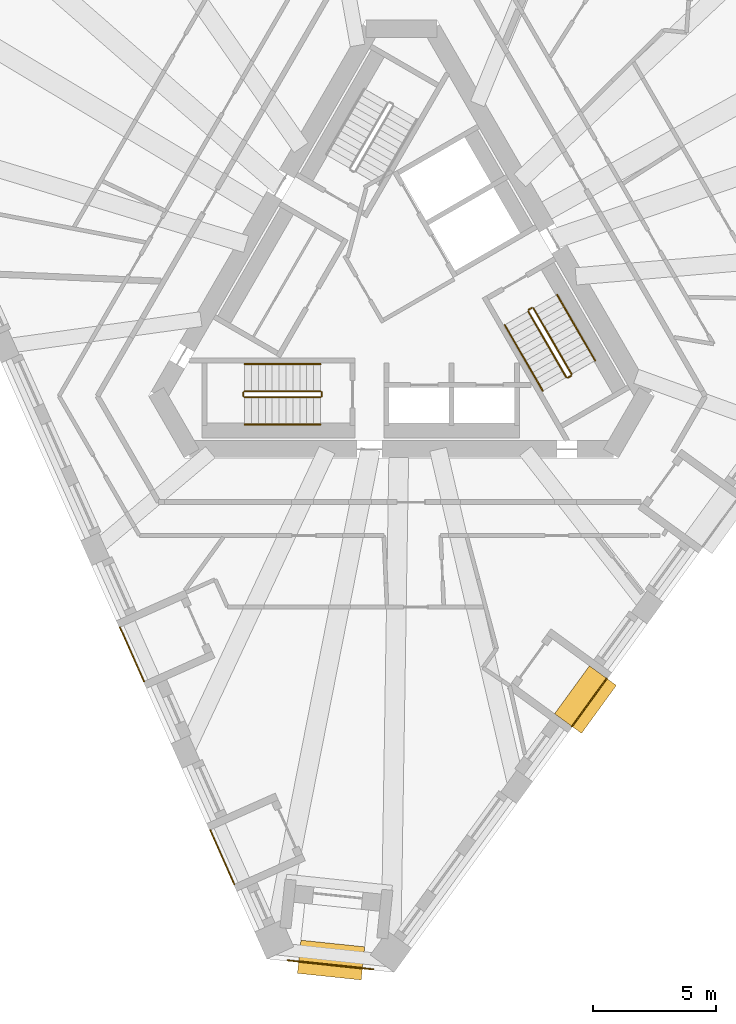
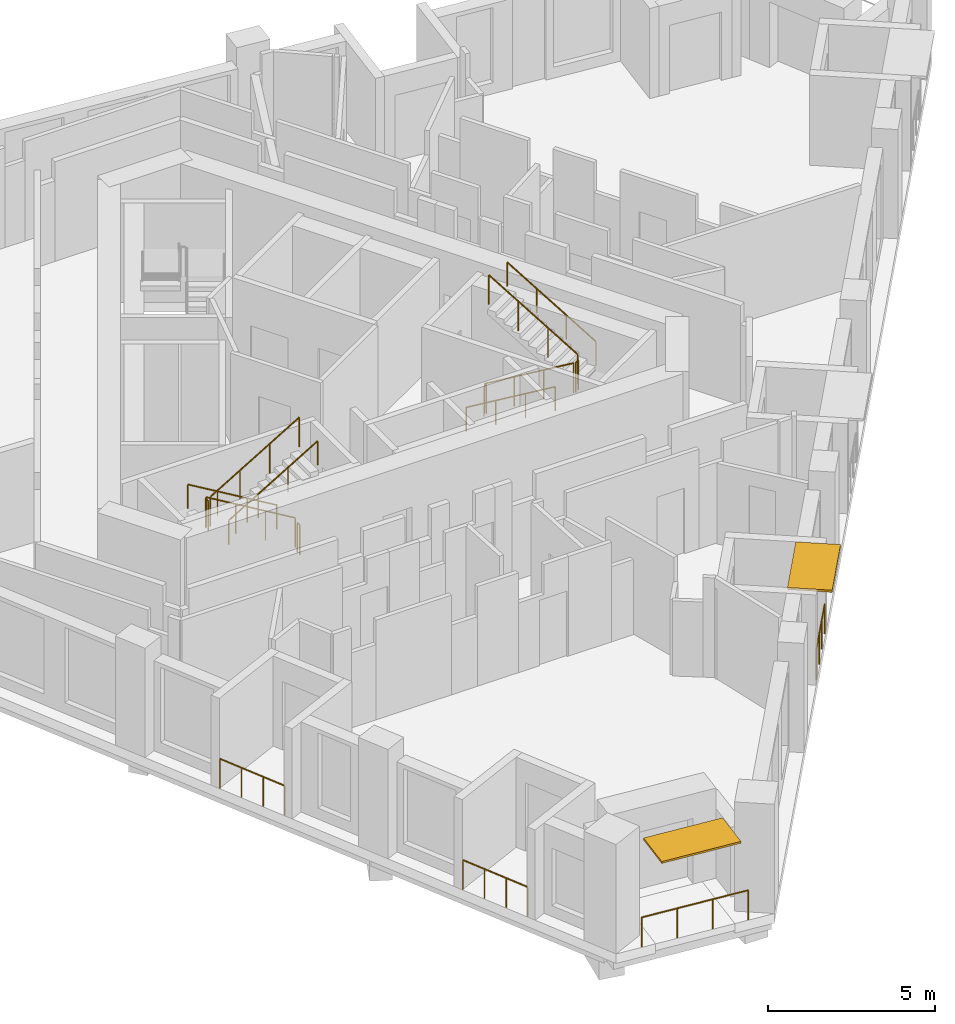
# One storey, part 9 of 11: 16 railings, 2 shading devices.
"""IFC4 building model written with IfcOpenShell, lengths in metres."""

import ifcopenshell
import ifcopenshell.guid

model = None  # the IFC model being written
_history = None  # IfcOwnerHistory: only IFC2X3 demands one
_inside = {}  # id of a spatial element -> (the spatial element, [elements in it])
_under = {}  # id of a project, library or spatial element -> (it, [spatial elements below it])
_declared = {}  # id of a project -> (the project, [libraries it declares])
_typed = {}  # id of a type object -> (the type object, [elements of that type])
_made_of = {}  # id of a material, layer set ... -> (it, [elements and type objects made of it])


def new_model(schema):
    """Start an empty IFC model of exactly this schema.

    Asked for "IFC4X3", IfcOpenShell would pick the latest addendum, in which some entities
    have other attributes; the version numbers below select the first issue.
    IFC2X3 requires an IfcOwnerHistory on every rooted entity: one is made here for all.
    """
    global model, _history
    if schema == "IFC4X3":
        model = ifcopenshell.file(schema_version=(4, 3, 0, 0))
    else:
        model = ifcopenshell.file(schema=schema)
    _inside.clear()
    _under.clear()
    _declared.clear()
    _typed.clear()
    _made_of.clear()
    _history = None
    if model.schema == "IFC2X3":
        org = make("IfcOrganization", Name="unknown")
        user = make(
            "IfcPersonAndOrganization",
            ThePerson=make("IfcPerson", FamilyName="unknown"),
            TheOrganization=org,
        )
        app = make(
            "IfcApplication",
            ApplicationDeveloper=org,
            Version="unknown",
            ApplicationFullName="unknown",
            ApplicationIdentifier="unknown",
        )
        _history = make(
            "IfcOwnerHistory",
            OwningUser=user,
            OwningApplication=app,
            ChangeAction="ADDED",
            CreationDate=0,
        )
    return model


def make(cls, **values):
    """One entity of the class cls with the attributes given. An attribute that is None is left unset."""
    return model.create_entity(
        cls, **{name: value for name, value in values.items() if value is not None}
    )


def rooted(cls, **values):
    """An entity with a GlobalId (a new one), such as an element, a storey or a relation."""
    return make(cls, GlobalId=ifcopenshell.guid.new(), OwnerHistory=_history, **values)


def si_unit(unit_type, name, prefix=None):
    """IfcSIUnit, for example si_unit("LENGTHUNIT", "METRE", prefix="MILLI")."""
    return make("IfcSIUnit", UnitType=unit_type, Prefix=prefix, Name=name)


def assignment(units):
    """IfcUnitAssignment: the units of a project."""
    return None if units is None else make("IfcUnitAssignment", Units=units)


def point(xyz):
    """IfcCartesianPoint."""
    return None if xyz is None else make("IfcCartesianPoint", Coordinates=xyz)


def direction(xyz):
    """IfcDirection."""
    return None if xyz is None else make("IfcDirection", DirectionRatios=xyz)


def frame(location, z_axis=None, x_axis=None):
    """IfcAxis2Placement3D, a coordinate frame: its origin and axes. An axis left out is left unset."""
    return make(
        "IfcAxis2Placement3D",
        Location=point(location),
        Axis=direction(z_axis),
        RefDirection=direction(x_axis),
    )


def frame_2d(location, x_axis=None):
    """IfcAxis2Placement2D, a coordinate frame in the plane: its origin and x axis."""
    return make(
        "IfcAxis2Placement2D", Location=point(location), RefDirection=direction(x_axis)
    )


def origin():
    """The frame at (0, 0, 0) with its axes left unset."""
    return frame((0.0, 0.0, 0.0))


def origin_2d():
    """The frame at (0, 0) in the plane with its x axis left unset."""
    return frame_2d((0.0, 0.0))


def place(relative_to, where):
    """IfcLocalPlacement: puts the frame where relative to a parent placement (None: the world)."""
    return make(
        "IfcLocalPlacement", PlacementRelTo=relative_to, RelativePlacement=where
    )


def context(
    kind, dimensions, precision=None, world=None, true_north=None, identifier=None
):
    """IfcGeometricRepresentationContext, for example the 3D "Model" context."""
    return make(
        "IfcGeometricRepresentationContext",
        ContextIdentifier=identifier,
        ContextType=kind,
        CoordinateSpaceDimension=dimensions,
        Precision=precision,
        WorldCoordinateSystem=world,
        TrueNorth=true_north,
    )


def subcontext(parent, identifier, kind, view, scale=None):
    """IfcGeometricRepresentationSubContext, for example "Body" below "Model"."""
    return make(
        "IfcGeometricRepresentationSubContext",
        ContextIdentifier=identifier,
        ContextType=kind,
        ParentContext=parent,
        TargetScale=scale,
        TargetView=view,
    )


def project(units=None, contexts=None):
    """IfcProject with its units and contexts."""
    return rooted(
        "IfcProject",
        Name="project",
        RepresentationContexts=contexts,
        UnitsInContext=assignment(units),
    )


def spatial(cls, under=None, at=None, **own):
    """A site, building, storey or space (cls), placed at a placement, below another one or the project."""
    s = rooted(cls, ObjectPlacement=at, **own)
    if under is not None:
        _under.setdefault(under.id(), (under, []))[1].append(s)
    return s


def profile(cls, at=None, kind="AREA", **sizes):
    """A parametric profile (cls). Its sizes go by their IFC names, for example OverallWidth=200.0."""
    return make(cls, ProfileType=kind, Position=at, **sizes)


def rectangle(**sizes):
    """IfcRectangleProfileDef."""
    return profile("IfcRectangleProfileDef", **sizes)


def circle(**sizes):
    """IfcCircleProfileDef."""
    return profile("IfcCircleProfileDef", **sizes)


def extrude(swept, where, along, depth):
    """IfcExtrudedAreaSolid: the profile swept, set in the frame where, extruded along a direction by depth."""
    return make(
        "IfcExtrudedAreaSolid",
        SweptArea=swept,
        Position=where,
        ExtrudedDirection=direction(along),
        Depth=depth,
    )


def shape(context_of_items, identifier, shape_type, items):
    """IfcShapeRepresentation: the items that make up one representation, for example the "Body"."""
    return make(
        "IfcShapeRepresentation",
        ContextOfItems=context_of_items,
        RepresentationIdentifier=identifier,
        RepresentationType=shape_type,
        Items=items,
    )


def material(Name=None, Category=None):
    """IfcMaterial."""
    return make("IfcMaterial", Name=Name, Category=Category)


def layer(
    of_material, thickness, ventilated=None, Name=None, Category=None, Priority=None
):
    """IfcMaterialLayer: one layer of a wall or slab, of a material (None: an air gap)."""
    return make(
        "IfcMaterialLayer",
        Material=of_material,
        LayerThickness=thickness,
        IsVentilated=ventilated,
        Name=Name,
        Category=Category,
        Priority=Priority,
    )


def layer_set(layers, Name=None):
    """IfcMaterialLayerSet."""
    return make("IfcMaterialLayerSet", MaterialLayers=layers, LayerSetName=Name)


def made_of(thing, what):
    """Note that an element or type object is made of a material, layer set ...; save() writes the relation."""
    if what is not None:
        _made_of.setdefault(what.id(), (what, []))[1].append(thing)
    return thing


def type_object(cls, material=None, **own):
    """A type object (cls), such as IfcWallType, which elements share."""
    return made_of(rooted(cls, **own), material)


def element(
    cls,
    number,
    at=None,
    inside=None,
    cuts=None,
    type_object=None,
    material=None,
    context=None,
    identifier="Body",
    shape_type=None,
    held_by="IfcProductDefinitionShape",
    body=None,
    shapes=None,
    **own,
):
    """One element of the class cls, such as IfcWall. Its Tag is "e" and its number.

    at: its placement. inside: the storey or other place that contains it. cuts: it is an
    opening in that element (IfcRelVoidsElement). A single representation is given by context,
    identifier, shape_type and body (its items); several are given by shapes. held_by: the class
    of the entity that holds the representations. save() writes the other relations.
    """
    e = rooted(cls, Tag="e%d" % number, ObjectPlacement=at, **own)
    if body is not None:
        shapes = [shape(context, identifier, shape_type, body)]
    if shapes is not None:
        e.Representation = make(held_by, Representations=shapes)
    if inside is not None:
        _inside.setdefault(inside.id(), (inside, []))[1].append(e)
    if cuts is not None:
        rooted(
            "IfcRelVoidsElement", RelatingBuildingElement=cuts, RelatedOpeningElement=e
        )
    if type_object is not None:
        _typed.setdefault(type_object.id(), (type_object, []))[1].append(e)
    return made_of(e, material)


def aggregate(whole, parts):
    """IfcRelAggregates: a whole, such as a stair, and the parts it consists of."""
    return rooted("IfcRelAggregates", RelatingObject=whole, RelatedObjects=parts)


def save(model, path):
    """Write the relations noted so far, then the file.

    IfcRelAggregates (storeys below a building ...), IfcRelContainedInSpatialStructure (elements
    in a storey), IfcRelDefinesByType, IfcRelAssociatesMaterial and IfcRelDeclares: one each for
    every whole, place, type object, material and project.
    """
    for whole, parts in _under.values():
        aggregate(whole, parts)
    for where, things in _inside.values():
        rooted(
            "IfcRelContainedInSpatialStructure",
            RelatedElements=things,
            RelatingStructure=where,
        )
    for kind, things in _typed.values():
        rooted("IfcRelDefinesByType", RelatedObjects=things, RelatingType=kind)
    for what, things in _made_of.values():
        rooted("IfcRelAssociatesMaterial", RelatedObjects=things, RelatingMaterial=what)
    for by, libraries in _declared.values():
        rooted("IfcRelDeclares", RelatingContext=by, RelatedDefinitions=libraries)
    model.write(path)


model = new_model("IFC4")

# Units and contexts
model_context = context("Model", 3, precision=1e-05, world=origin(), true_north=direction((0.0, 1.0)))
body_context = subcontext(model_context, "Body", "Model", "MODEL_VIEW")
ifc_project = project(units=[si_unit("LENGTHUNIT", "METRE"), si_unit("AREAUNIT", "SQUARE_METRE"), si_unit("VOLUMEUNIT", "CUBIC_METRE"), si_unit("PLANEANGLEUNIT", "RADIAN"), si_unit("MASSUNIT", "GRAM", prefix="KILO")], contexts=[model_context])

# Site, building, storey
site_placement = place(None, origin())
site = spatial("IfcSite", under=ifc_project, at=site_placement, CompositionType="ELEMENT")
building_placement = place(site_placement, origin())
building = spatial("IfcBuilding", under=site, at=building_placement, Name="Tramontana Tower", CompositionType="ELEMENT")
storey_placement = place(building_placement, frame((0.0, 0.0, 265.199951171875)))
storey = spatial("IfcBuildingStorey", under=building, at=storey_placement, Name="L62", CompositionType="ELEMENT", Elevation=265.199951171875)

# Railings
ifc_material_1 = material(Name="Laminated glass balustrade", Category="glass")
railing_type_1 = type_object("IfcRailingType", Name="GD1 Loggia glass balustrade 1100", PredefinedType="BALUSTRADE", material=ifc_material_1)
for number, where, name in (
    (1, (-11.41455078125, -13.626220703125, 0.0), "Loggia balustrade L62 G6S0.10"),
    (2, (-7.751220703125, -21.854248046875, 0.0), "Loggia balustrade L62 G6S0.13"),
):
    element("IfcRailing", number, at=place(storey_placement, frame(where)), inside=storey, type_object=railing_type_1, Name=name, PredefinedType="BALUSTRADE", context=body_context, shape_type="SweptSolid", body=[
        extrude(circle(Radius=0.02392578125, at=origin_2d()), frame((0.0, 0.0, 1.076171875), z_axis=(0.406723017018, -0.913551524232, 0.0), x_axis=(0.913551524232, 0.406723017018, 0.0)), (0.0, 0.0, 1.0), 2.40234375),
        extrude(circle(Radius=0.02099609375, at=origin_2d()), origin(), (0.0, 0.0, 1.0), 1.052001953125),
        extrude(circle(Radius=0.02099609375, at=origin_2d()), frame((0.32568359375, -0.7314453125, 0.0)), (0.0, 0.0, 1.0), 1.052001953125),
        extrude(circle(Radius=0.02099609375, at=origin_2d()), frame((0.6513671875, -1.463134765625, 0.0)), (0.0, 0.0, 1.0), 1.052001953125),
        extrude(circle(Radius=0.02099609375, at=origin_2d()), frame((0.97705078125, -2.194580078125, 0.0)), (0.0, 0.0, 1.0), 1.052001953125),
    ])
railing_1_placement = place(storey_placement, frame((6.919921875, -17.645263671875, 0.0)))
element("IfcRailing", 3, at=railing_1_placement, inside=storey, type_object=railing_type_1, Name="Loggia balustrade L62 G6S1.4", PredefinedType="BALUSTRADE", context=body_context, shape_type="SweptSolid", body=[
    extrude(circle(Radius=0.02392578125, at=origin_2d()), frame((0.0, 0.0, 1.076171875), z_axis=(0.587784915375, 0.80901723916, 0.0), x_axis=(-0.80901723916, 0.587784915375, 0.0)), (0.0, 0.0, 1.0), 2.40234375),
    extrude(circle(Radius=0.02099609375, at=origin_2d()), origin(), (0.0, 0.0, 1.0), 1.052001953125),
    extrude(circle(Radius=0.02099609375, at=origin_2d()), frame((0.470703125, 0.64794921875, 0.0)), (0.0, 0.0, 1.0), 1.052001953125),
    extrude(circle(Radius=0.02099609375, at=origin_2d()), frame((0.94140625, 1.295654296875, 0.0)), (0.0, 0.0, 1.0), 1.052001953125),
    extrude(circle(Radius=0.02099609375, at=origin_2d()), frame((1.412109375, 1.943603515625, 0.0)), (0.0, 0.0, 1.0), 1.052001953125),
])
railing_2_placement = place(storey_placement, frame((-1.131103515625, -27.50244140625, 0.0)))
element("IfcRailing", 4, at=railing_2_placement, inside=storey, type_object=railing_type_1, Name="Corner loggia balustrade L62 K61", PredefinedType="BALUSTRADE", context=body_context, shape_type="SweptSolid", body=[
    extrude(circle(Radius=0.02392578125, at=origin_2d()), frame((0.0, 0.0, 1.076171875), z_axis=(-0.994518059202, 0.104564955513, 0.0), x_axis=(-0.104564955513, -0.994518059202, 0.0)), (0.0, 0.0, 1.0), 3.5),
    extrude(circle(Radius=0.02099609375, at=origin_2d()), origin(), (0.0, 0.0, 1.0), 1.052001953125),
    extrude(circle(Radius=0.02099609375, at=origin_2d()), frame((-1.16015625, 0.1220703125, 0.0)), (0.0, 0.0, 1.0), 1.052001953125),
    extrude(circle(Radius=0.02099609375, at=origin_2d()), frame((-2.320556640625, 0.243896484375, 0.0)), (0.0, 0.0, 1.0), 1.052001953125),
    extrude(circle(Radius=0.02099609375, at=origin_2d()), frame((-3.480712890625, 0.365966796875, 0.0)), (0.0, 0.0, 1.0), 1.052001953125),
])

# Shading devices
ifc_material_2 = material(Name="Precast concrete 60 MPa", Category="concrete")
ifc_layer_1 = layer(ifc_material_2, 0.070068359375)
ifc_layer_set_1 = layer_set([ifc_layer_1], Name="SS2 Stone sunshade blade 70")
shading_device_type_1 = type_object("IfcShadingDeviceType", Name="SS2 Stone sunshade blade 70", PredefinedType="USERDEFINED", material=ifc_layer_set_1)
shading_device_1_placement = place(storey_placement, frame((-2.85107421875, -27.12548828125, 3.22998046875), z_axis=(0.0, 0.0, 1.0), x_axis=(-0.994521895368, 0.104528463268, 0.0)))
element("IfcShadingDevice", 5, at=shading_device_1_placement, inside=storey, type_object=shading_device_type_1, Name="Corner sunshade L62 K61", ObjectType="SUNSHADE", PredefinedType="USERDEFINED", context=body_context, shape_type="SweptSolid", body=[
    extrude(rectangle(XDim=2.60009765625, YDim=1.35009765625, at=origin_2d()), origin(), (0.0, 0.0, 1.0), 0.070068359375),
])
ifc_material_3 = material(Name="Precast concrete 60 MPa", Category="concrete")
ifc_layer_2 = layer(ifc_material_3, 0.080078125)
ifc_layer_set_2 = layer_set([ifc_layer_2], Name="SS3 Stone sunshade blade 80")
shading_device_type_2 = type_object("IfcShadingDeviceType", Name="SS3 Stone sunshade blade 80", PredefinedType="USERDEFINED", material=ifc_layer_set_2)
shading_device_2_placement = place(storey_placement, frame((7.46826171875, -16.558837890625, 3.219970703125), z_axis=(0.0, 0.0, 1.0), x_axis=(0.587785252292, 0.809016994375, 0.0)))
element("IfcShadingDevice", 6, at=shading_device_2_placement, inside=storey, type_object=shading_device_type_2, Name="Sunshade L62 G6S1.4", ObjectType="SUNSHADE", PredefinedType="USERDEFINED", context=body_context, shape_type="SweptSolid", body=[
    extrude(rectangle(XDim=2.402099609375, YDim=1.35009765625, at=origin_2d()), origin(), (0.0, 0.0, 1.0), 0.080078125),
])

# Railings
ifc_material_4 = material(Name="Painted steel", Category="steel")
railing_type_2 = type_object("IfcRailingType", Name="STAIR GUARD 1100", PredefinedType="GUARDRAIL", material=ifc_material_4)
railing_3_placement = place(storey_placement, frame((-3.280029296875, -4.050048828125, 0.166748046875)))
element("IfcRailing", 7, at=railing_3_placement, inside=storey, type_object=railing_type_2, Name="L62 ST2 stair guard 1", PredefinedType="GUARDRAIL", context=body_context, shape_type="SweptSolid", body=[
    extrude(circle(Radius=0.02392578125, at=origin_2d()), frame((0.0, 0.0, 1.076171875), z_axis=(-0.859308565015, 0.0, 0.511457515432), x_axis=(0.0, -1.0, 0.0)), (0.0, 0.0, 1.0), 3.58447265625),
    extrude(circle(Radius=0.02099609375, at=origin_2d()), origin(), (0.0, 0.0, 1.0), 1.052001953125),
    extrude(circle(Radius=0.02099609375, at=origin_2d()), frame((-1.026611328125, 0.0, 0.611083984375)), (0.0, 0.0, 1.0), 1.052001953125),
    extrude(circle(Radius=0.02099609375, at=origin_2d()), frame((-2.053466796875, 0.0, 1.22216796875)), (0.0, 0.0, 1.0), 1.052001953125),
    extrude(circle(Radius=0.02099609375, at=origin_2d()), frame((-3.080078125, 0.0, 1.833251953125)), (0.0, 0.0, 1.0), 1.052001953125),
])
railing_4_placement = place(storey_placement, frame((-6.360107421875, -4.300048828125, 2.166748046875)))
element("IfcRailing", 8, at=railing_4_placement, inside=storey, type_object=railing_type_2, Name="L62 ST2 stair guard 2", PredefinedType="GUARDRAIL", context=body_context, shape_type="SweptSolid", body=[
    extrude(circle(Radius=0.02392578125, at=origin_2d()), frame((0.0, 0.0, 1.076171875), z_axis=(0.859308565015, 0.0, 0.511457515432), x_axis=(0.0, 1.0, 0.0)), (0.0, 0.0, 1.0), 3.58447265625),
    extrude(circle(Radius=0.02099609375, at=origin_2d()), origin(), (0.0, 0.0, 1.0), 1.052001953125),
    extrude(circle(Radius=0.02099609375, at=origin_2d()), frame((1.026611328125, 0.0, 0.611083984375)), (0.0, 0.0, 1.0), 1.052001953125),
    extrude(circle(Radius=0.02099609375, at=origin_2d()), frame((2.053466796875, 0.0, 1.22216796875)), (0.0, 0.0, 1.0), 1.052001953125),
    extrude(circle(Radius=0.02099609375, at=origin_2d()), frame((3.080078125, 0.0, 1.833251953125)), (0.0, 0.0, 1.0), 1.052001953125),
])
for number, where, name in (
    (9, (-6.409912109375, -4.10009765625, 2.0), "L62 ST2 stair guard 3"),
    (10, (-3.22998046875, -4.10009765625, 0.0), "L62 ST2 stair guard 4"),
):
    element("IfcRailing", number, at=place(storey_placement, frame(where)), inside=storey, type_object=railing_type_2, Name=name, PredefinedType="GUARDRAIL", context=body_context, shape_type="SweptSolid", body=[
        extrude(circle(Radius=0.02392578125, at=origin_2d()), frame((0.0, 0.0, 1.076171875), z_axis=(0.0, -1.0, 0.0), x_axis=(1.0, 0.0, 0.0)), (0.0, 0.0, 1.0), 0.14990234375),
        extrude(circle(Radius=0.02099609375, at=origin_2d()), origin(), (0.0, 0.0, 1.0), 1.052001953125),
        extrude(circle(Radius=0.02099609375, at=origin_2d()), frame((0.0, -0.14990234375, 0.0)), (0.0, 0.0, 1.0), 1.052001953125),
    ])
railing_5_placement = place(storey_placement, frame((5.1474609375, -0.815673828125, 0.166748046875)))
element("IfcRailing", 11, at=railing_5_placement, inside=storey, type_object=railing_type_2, Name="L62 ST3 stair guard 1", PredefinedType="GUARDRAIL", context=body_context, shape_type="SweptSolid", body=[
    extrude(circle(Radius=0.02392578125, at=origin_2d()), frame((0.0, 0.0, 1.076171875), z_axis=(0.429671193721, -0.744159446956, 0.511477646425), x_axis=(0.866010015463, 0.500026652407, 0.0)), (0.0, 0.0, 1.0), 3.584228515625),
    extrude(circle(Radius=0.02099609375, at=origin_2d()), origin(), (0.0, 0.0, 1.0), 1.052001953125),
    extrude(circle(Radius=0.02099609375, at=origin_2d()), frame((0.513427734375, -0.88916015625, 0.611083984375)), (0.0, 0.0, 1.0), 1.052001953125),
    extrude(circle(Radius=0.02099609375, at=origin_2d()), frame((1.026611328125, -1.778076171875, 1.22216796875)), (0.0, 0.0, 1.0), 1.052001953125),
    extrude(circle(Radius=0.02099609375, at=origin_2d()), frame((1.5400390625, -2.667236328125, 1.833251953125)), (0.0, 0.0, 1.0), 1.052001953125),
])
railing_6_placement = place(storey_placement, frame((6.90380859375, -3.35791015625, 2.166748046875)))
element("IfcRailing", 12, at=railing_6_placement, inside=storey, type_object=railing_type_2, Name="L62 ST3 stair guard 2", PredefinedType="GUARDRAIL", context=body_context, shape_type="SweptSolid", body=[
    extrude(circle(Radius=0.02392578125, at=origin_2d()), frame((0.0, 0.0, 1.076171875), z_axis=(-0.429615651263, 0.74418122563, 0.511492615401), x_axis=(-0.866044340336, -0.499967199496, 0.0)), (0.0, 0.0, 1.0), 3.584228515625),
    extrude(circle(Radius=0.02099609375, at=origin_2d()), origin(), (0.0, 0.0, 1.0), 1.052001953125),
    extrude(circle(Radius=0.02099609375, at=origin_2d()), frame((-0.51318359375, 0.88916015625, 0.611083984375)), (0.0, 0.0, 1.0), 1.052001953125),
    extrude(circle(Radius=0.02099609375, at=origin_2d()), frame((-1.026611328125, 1.778076171875, 1.22216796875)), (0.0, 0.0, 1.0), 1.052001953125),
    extrude(circle(Radius=0.02099609375, at=origin_2d()), frame((-1.539794921875, 2.667236328125, 1.833251953125)), (0.0, 0.0, 1.0), 1.052001953125),
])
for number, where, name in (
    (13, (6.755615234375, -3.501220703125, 2.0), "L62 ST3 stair guard 3"),
    (14, (5.165771484375, -0.747314453125, 0.0), "L62 ST3 stair guard 4"),
):
    element("IfcRailing", number, at=place(storey_placement, frame(where)), inside=storey, type_object=railing_type_2, Name=name, PredefinedType="GUARDRAIL", context=body_context, shape_type="SweptSolid", body=[
        extrude(circle(Radius=0.02392578125, at=origin_2d()), frame((0.0, 0.0, 1.076171875), z_axis=(0.866131372301, 0.499816412211, 0.0), x_axis=(-0.499816412211, 0.866131372301, 0.0)), (0.0, 0.0, 1.0), 0.14990234375),
        extrude(circle(Radius=0.02099609375, at=origin_2d()), origin(), (0.0, 0.0, 1.0), 1.052001953125),
        extrude(circle(Radius=0.02099609375, at=origin_2d()), frame((0.1298828125, 0.074951171875, 0.0)), (0.0, 0.0, 1.0), 1.052001953125),
    ])
ifc_material_5 = material(Name="Painted steel", Category="steel")
railing_type_3 = type_object("IfcRailingType", Name="STAIR HANDRAIL 900", PredefinedType="HANDRAIL", material=ifc_material_5)
railing_7_placement = place(storey_placement, frame((-3.280029296875, -2.949951171875, 0.166748046875)))
element("IfcRailing", 15, at=railing_7_placement, inside=storey, type_object=railing_type_3, Name="L62 ST2 stair handrail 1", PredefinedType="HANDRAIL", context=body_context, shape_type="SweptSolid", body=[
    extrude(circle(Radius=0.02392578125, at=origin_2d()), frame((0.0, 0.0, 0.8759765625), z_axis=(-0.859308565015, 0.0, 0.511457515432), x_axis=(0.0, -1.0, 0.0)), (0.0, 0.0, 1.0), 3.58447265625),
    extrude(circle(Radius=0.02099609375, at=origin_2d()), origin(), (0.0, 0.0, 1.0), 0.851806640625),
    extrude(circle(Radius=0.02099609375, at=origin_2d()), frame((-1.026611328125, 0.0, 0.611083984375)), (0.0, 0.0, 1.0), 0.851806640625),
    extrude(circle(Radius=0.02099609375, at=origin_2d()), frame((-2.053466796875, 0.0, 1.22216796875)), (0.0, 0.0, 1.0), 0.851806640625),
    extrude(circle(Radius=0.02099609375, at=origin_2d()), frame((-3.080078125, 0.0, 1.833251953125)), (0.0, 0.0, 1.0), 0.851806640625),
])
railing_8_placement = place(storey_placement, frame((-6.360107421875, -5.39990234375, 2.166748046875)))
element("IfcRailing", 16, at=railing_8_placement, inside=storey, type_object=railing_type_3, Name="L62 ST2 stair handrail 2", PredefinedType="HANDRAIL", context=body_context, shape_type="SweptSolid", body=[
    extrude(circle(Radius=0.02392578125, at=origin_2d()), frame((0.0, 0.0, 0.8759765625), z_axis=(0.859308565015, 0.0, 0.511457515432), x_axis=(0.0, 1.0, 0.0)), (0.0, 0.0, 1.0), 3.58447265625),
    extrude(circle(Radius=0.02099609375, at=origin_2d()), origin(), (0.0, 0.0, 1.0), 0.851806640625),
    extrude(circle(Radius=0.02099609375, at=origin_2d()), frame((1.026611328125, 0.0, 0.611083984375)), (0.0, 0.0, 1.0), 0.851806640625),
    extrude(circle(Radius=0.02099609375, at=origin_2d()), frame((2.053466796875, 0.0, 1.22216796875)), (0.0, 0.0, 1.0), 0.851806640625),
    extrude(circle(Radius=0.02099609375, at=origin_2d()), frame((3.080078125, 0.0, 1.833251953125)), (0.0, 0.0, 1.0), 0.851806640625),
])
railing_9_placement = place(storey_placement, frame((4.19482421875, -1.365478515625, 0.166748046875)))
element("IfcRailing", 17, at=railing_9_placement, inside=storey, type_object=railing_type_3, Name="L62 ST3 stair handrail 1", PredefinedType="HANDRAIL", context=body_context, shape_type="SweptSolid", body=[
    extrude(circle(Radius=0.02392578125, at=origin_2d()), frame((0.0, 0.0, 0.8759765625), z_axis=(0.429649414936, -0.744189839504, 0.511451721109), x_axis=(0.866029832698, 0.499992328818, 0.0)), (0.0, 0.0, 1.0), 3.58447265625),
    extrude(circle(Radius=0.02099609375, at=origin_2d()), origin(), (0.0, 0.0, 1.0), 0.851806640625),
    extrude(circle(Radius=0.02099609375, at=origin_2d()), frame((0.513427734375, -0.88916015625, 0.611083984375)), (0.0, 0.0, 1.0), 0.851806640625),
    extrude(circle(Radius=0.02099609375, at=origin_2d()), frame((1.026611328125, -1.7783203125, 1.22216796875)), (0.0, 0.0, 1.0), 0.851806640625),
    extrude(circle(Radius=0.02099609375, at=origin_2d()), frame((1.5400390625, -2.66748046875, 1.833251953125)), (0.0, 0.0, 1.0), 0.851806640625),
])
railing_10_placement = place(storey_placement, frame((7.8564453125, -2.807861328125, 2.166748046875)))
element("IfcRailing", 18, at=railing_10_placement, inside=storey, type_object=railing_type_3, Name="L62 ST3 stair handrail 2", PredefinedType="HANDRAIL", context=body_context, shape_type="SweptSolid", body=[
    extrude(circle(Radius=0.02392578125, at=origin_2d()), frame((0.0, 0.0, 0.8759765625), z_axis=(-0.429615651263, 0.74418122563, 0.511492615401), x_axis=(-0.866044340336, -0.499967199496, 0.0)), (0.0, 0.0, 1.0), 3.584228515625),
    extrude(circle(Radius=0.02099609375, at=origin_2d()), origin(), (0.0, 0.0, 1.0), 0.851806640625),
    extrude(circle(Radius=0.02099609375, at=origin_2d()), frame((-0.51318359375, 0.88916015625, 0.611083984375)), (0.0, 0.0, 1.0), 0.851806640625),
    extrude(circle(Radius=0.02099609375, at=origin_2d()), frame((-1.026611328125, 1.778076171875, 1.22216796875)), (0.0, 0.0, 1.0), 0.851806640625),
    extrude(circle(Radius=0.02099609375, at=origin_2d()), frame((-1.539794921875, 2.667236328125, 1.833251953125)), (0.0, 0.0, 1.0), 0.851806640625),
])

save(model, "model.ifc")
